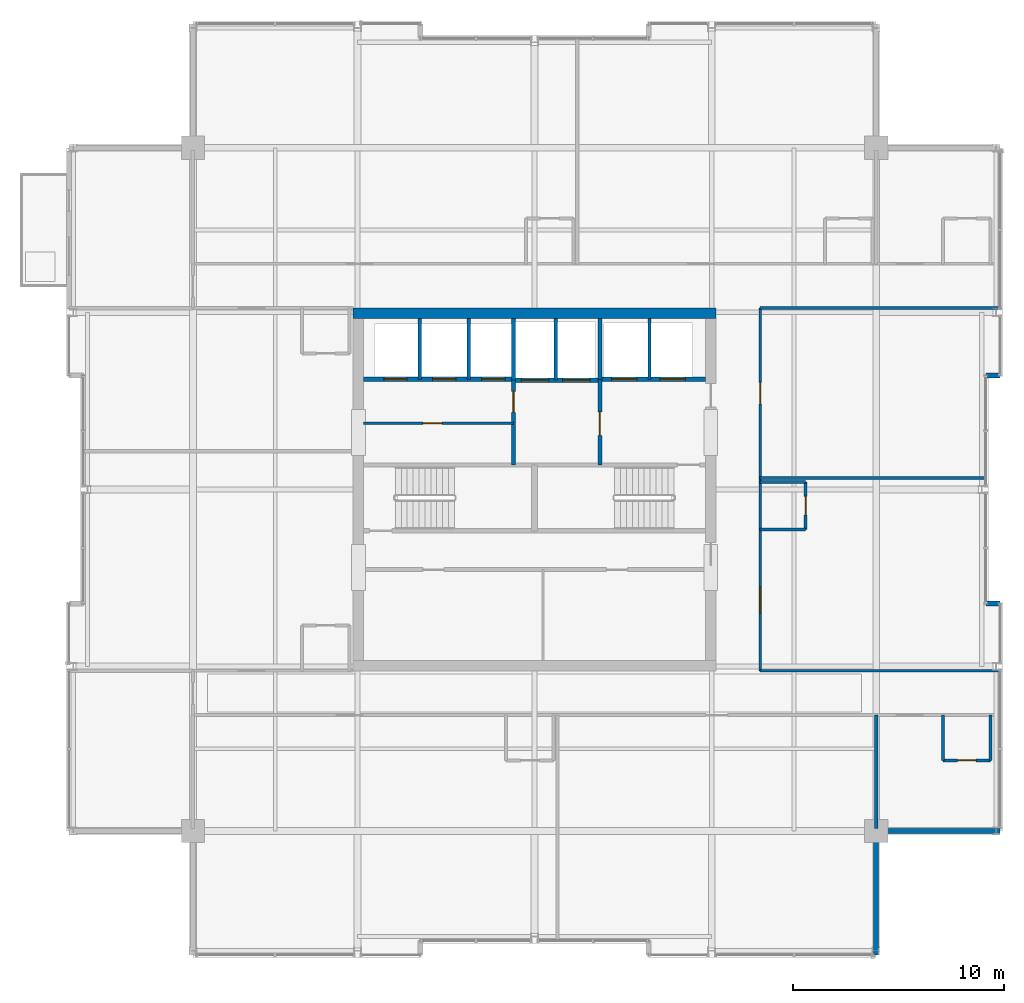
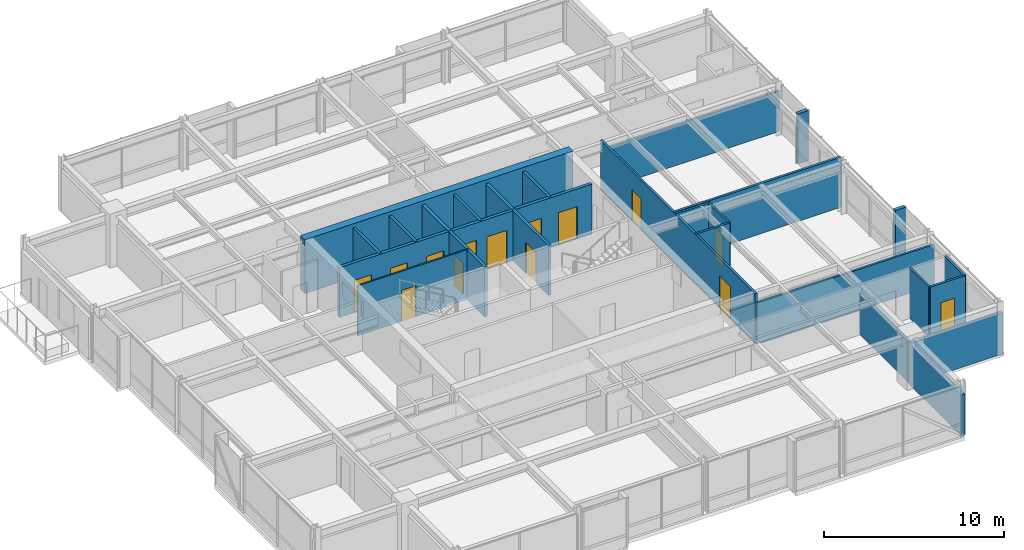
# One storey, part 29 of 33: 28 walls, 14 doors, 14 openings.
"""IFC4 building model written with IfcOpenShell, lengths in metres."""

from ifc_helpers import new_model, si_unit, direction, frame, frame_2d, origin, place, context, subcontext, project, spatial, rectangle, extrude, material, layer, layer_set, type_object, element, fill, save


model = new_model("IFC4")

# Units and contexts
model_context = context("Model", 3, precision=1e-05, world=origin(), true_north=direction((0.0, 1.0)))
body_context = subcontext(model_context, "Body", "Model", "MODEL_VIEW")
ifc_project = project(units=[si_unit("LENGTHUNIT", "METRE"), si_unit("AREAUNIT", "SQUARE_METRE"), si_unit("VOLUMEUNIT", "CUBIC_METRE"), si_unit("PLANEANGLEUNIT", "RADIAN"), si_unit("MASSUNIT", "GRAM", prefix="KILO")], contexts=[model_context])

# Site, building, storey
site_placement = place(None, origin())
site = spatial("IfcSite", under=ifc_project, at=site_placement, CompositionType="ELEMENT")
building_placement = place(site_placement, origin())
building = spatial("IfcBuilding", under=site, at=building_placement, Name="Drelvath Grand Hotel", CompositionType="ELEMENT")
storey_placement = place(building_placement, frame((0.0, 0.0, 275.949951171875)))
storey = spatial("IfcBuildingStorey", under=building, at=storey_placement, Name="L72", CompositionType="ELEMENT", Elevation=275.949951171875)

# Wall, opening, door
ifc_material_1 = material(Name="Gypsum Partition Board")
ifc_layer_1 = layer(ifc_material_1, 0.10009765625)
ifc_layer_set_1 = layer_set([ifc_layer_1], Name="Gypsum Partition Board")
wall_type_1 = type_object("IfcWallType", Name="Core Closet Partition 100", PredefinedType="PARTITIONING", material=ifc_layer_set_1)
wall_1_placement = place(storey_placement, frame((-8.10009765625, 30.139892578125, 0.0), z_axis=(0.0, 0.0, 1.0), x_axis=(1.0, 0.0, 0.0)))
wall_1 = element("IfcWall", 1, at=wall_1_placement, inside=storey, type_object=wall_type_1, Name="L72 High-Rise Lobby Closet Wall", PredefinedType="PARTITIONING", context=body_context, shape_type="SweptSolid", body=[
    extrude(rectangle(XDim=7.10009765625, YDim=0.10009765625, at=frame_2d((3.550048828125, 0.0))), origin(), (0.0, 0.0, 1.0), 3.39013671875),
])
opening_1_placement = place(wall_1_placement, frame((2.800048828125, 0.0, 0.0)))
opening_1 = element("IfcOpeningElement", 2, at=opening_1_placement, cuts=wall_1, Name="Opening D-T5G2-013", PredefinedType="OPENING", context=body_context, shape_type="SweptSolid", body=[
    extrude(rectangle(XDim=0.919921875, YDim=2.10009765625, at=frame_2d((0.4599609375, 1.050048828125))), frame((0.0, 0.06005859375, 0.0), z_axis=(0.0, -1.0, 0.0), x_axis=(1.0, 0.0, 0.0)), (0.0, 0.0, 1.0), 0.1201171875),
])
ifc_material_2 = material(Name="Painted Steel S275", Category="steel")
door_type_1 = type_object("IfcDoorType", Name="Staff Utility Door 920x2100", OperationType="NOTDEFINED", PredefinedType="DOOR", material=ifc_material_2)
door_1_placement = place(opening_1_placement, origin())
door_1 = element("IfcDoor", 3, at=door_1_placement, inside=storey, type_object=door_type_1, Name="L72 Core Telecom Door", OperationType="SINGLE_SWING_RIGHT", OverallHeight=2.10009765625, OverallWidth=0.919921875, PredefinedType="DOOR", context=body_context, shape_type="SweptSolid", body=[
    extrude(rectangle(XDim=0.919921875, YDim=2.10009765625, at=frame_2d((0.4599609375, 1.050048828125))), frame((0.0, 0.02490234375, 0.0), z_axis=(0.0, -1.0, 0.0), x_axis=(1.0, 0.0, 0.0)), (0.0, 0.0, 1.0), 0.050048828125),
])
fill(opening_1, door_1)

# Wall, openings, doors
ifc_material_3 = material(Name="Concrete C40/50", Category="concrete")
ifc_layer_2 = layer(ifc_material_3, 0.199951171875)
ifc_layer_set_2 = layer_set([ifc_layer_2], Name="Concrete C40/50")
wall_type_2 = type_object("IfcWallType", Name="Core Hoistway Fire Wall 200", PredefinedType="SOLIDWALL", material=ifc_layer_set_2)
wall_2_placement = place(storey_placement, frame((3.10009765625, 32.219970703125, 0.0), z_axis=(0.0, 0.0, 1.0), x_axis=(1.0, 0.0, 0.0)))
wall_2 = element("IfcWall", 4, at=wall_2_placement, inside=storey, type_object=wall_type_2, Name="L72 FSAE Hoistway Front Wall", PredefinedType="SOLIDWALL", context=body_context, shape_type="SweptSolid", body=[
    extrude(rectangle(XDim=5.0, YDim=0.199951171875, at=frame_2d((2.5, 0.0))), origin(), (0.0, 0.0, 1.0), 3.39013671875),
])
opening_2_placement = place(wall_2_placement, frame((0.550048828125, 0.0, 0.0)))
opening_2 = element("IfcOpeningElement", 5, at=opening_2_placement, cuts=wall_2, Name="Opening LD-FSAE-1", PredefinedType="OPENING", context=body_context, shape_type="SweptSolid", body=[
    extrude(rectangle(XDim=1.199951171875, YDim=2.199951171875, at=frame_2d((0.60009765625, 1.10009765625))), frame((0.0, 0.10986328125, 0.0), z_axis=(0.0, -1.0, 0.0), x_axis=(1.0, 0.0, 0.0)), (0.0, 0.0, 1.0), 0.219970703125),
])
opening_3_placement = place(wall_2_placement, frame((2.85009765625, 0.0, 0.0)))
opening_3 = element("IfcOpeningElement", 6, at=opening_3_placement, cuts=wall_2, Name="Opening LD-FSAE-2", PredefinedType="OPENING", context=body_context, shape_type="SweptSolid", body=[
    extrude(rectangle(XDim=1.199951171875, YDim=2.199951171875, at=frame_2d((0.60009765625, 1.10009765625))), frame((0.0, 0.10986328125, 0.0), z_axis=(0.0, -1.0, 0.0), x_axis=(1.0, 0.0, 0.0)), (0.0, 0.0, 1.0), 0.219970703125),
])
ifc_material_4 = material(Name="Stainless Steel S355", Category="steel")
door_type_2 = type_object("IfcDoorType", Name="FSAE Lift Sliding Landing Door 1200x2200", OperationType="NOTDEFINED", PredefinedType="DOOR", material=ifc_material_4)
door_2_placement = place(opening_2_placement, origin())
door_2 = element("IfcDoor", 7, at=door_2_placement, inside=storey, type_object=door_type_2, Name="L72 Lift FSAE-1 Landing Door", OperationType="SLIDING_TO_LEFT", OverallHeight=2.199951171875, OverallWidth=1.199951171875, PredefinedType="DOOR", context=body_context, shape_type="SweptSolid", body=[
    extrude(rectangle(XDim=1.199951171875, YDim=2.199951171875, at=frame_2d((0.60009765625, 1.10009765625))), frame((0.0, 0.02490234375, 0.0), z_axis=(0.0, -1.0, 0.0), x_axis=(1.0, 0.0, 0.0)), (0.0, 0.0, 1.0), 0.050048828125),
])
fill(opening_2, door_2)
door_3_placement = place(opening_3_placement, origin())
door_3 = element("IfcDoor", 8, at=door_3_placement, inside=storey, type_object=door_type_2, Name="L72 Lift FSAE-2 Landing Door", OperationType="SLIDING_TO_LEFT", OverallHeight=2.199951171875, OverallWidth=1.199951171875, PredefinedType="DOOR", context=body_context, shape_type="SweptSolid", body=[
    extrude(rectangle(XDim=1.199951171875, YDim=2.199951171875, at=frame_2d((0.60009765625, 1.10009765625))), frame((0.0, 0.02490234375, 0.0), z_axis=(0.0, -1.0, 0.0), x_axis=(1.0, 0.0, 0.0)), (0.0, 0.0, 1.0), 0.050048828125),
])
fill(opening_3, door_3)

# Wall
wall_3_placement = place(storey_placement, frame((3.10009765625, 32.219970703125, 0.0), z_axis=(0.0, 0.0, 1.0), x_axis=(0.0, 1.0, 0.0)))
element("IfcWall", 9, at=wall_3_placement, inside=storey, type_object=wall_type_2, Name="L72 FSAE Hoistway West Wall", PredefinedType="SOLIDWALL", context=body_context, shape_type="SweptSolid", body=[
    extrude(rectangle(XDim=2.880126953125, YDim=0.199951171875, at=frame_2d((1.43994140625, 0.0))), origin(), (0.0, 0.0, 1.0), 3.39013671875),
])

# Wall, openings, doors
wall_4_placement = place(storey_placement, frame((-1.0, 32.179931640625, 0.0), z_axis=(0.0, 0.0, 1.0), x_axis=(1.0, 0.0, 0.0)))
wall_4 = element("IfcWall", 10, at=wall_4_placement, inside=storey, type_object=wall_type_2, Name="L72 Service Lift Hoistway Wall", PredefinedType="SOLIDWALL", context=body_context, shape_type="SweptSolid", body=[
    extrude(rectangle(XDim=4.10009765625, YDim=0.199951171875, at=frame_2d((2.050048828125, 0.0))), origin(), (0.0, 0.0, 1.0), 3.39013671875),
])
opening_4_placement = place(wall_4_placement, frame((0.3701171875, 0.0, 0.0)))
opening_4 = element("IfcOpeningElement", 11, at=opening_4_placement, cuts=wall_4, Name="Opening LD-SV-2", PredefinedType="OPENING", context=body_context, shape_type="SweptSolid", body=[
    extrude(rectangle(XDim=1.300048828125, YDim=2.199951171875, at=frame_2d((0.64990234375, 1.10009765625))), frame((0.0, 0.10986328125, 0.0), z_axis=(0.0, -1.0, 0.0), x_axis=(1.0, 0.0, 0.0)), (0.0, 0.0, 1.0), 0.219970703125),
])
opening_5_placement = place(wall_4_placement, frame((2.330078125, 0.0, 0.0)))
opening_5 = element("IfcOpeningElement", 12, at=opening_5_placement, cuts=wall_4, Name="Opening LD-SV-1", PredefinedType="OPENING", context=body_context, shape_type="SweptSolid", body=[
    extrude(rectangle(XDim=1.300048828125, YDim=2.199951171875, at=frame_2d((0.64990234375, 1.10009765625))), frame((0.0, 0.10986328125, 0.0), z_axis=(0.0, -1.0, 0.0), x_axis=(1.0, 0.0, 0.0)), (0.0, 0.0, 1.0), 0.219970703125),
])
door_type_3 = type_object("IfcDoorType", Name="Service Lift Sliding Landing Door 1300x2200", OperationType="NOTDEFINED", PredefinedType="DOOR", material=ifc_material_4)
door_4_placement = place(opening_4_placement, origin())
door_4 = element("IfcDoor", 13, at=door_4_placement, inside=storey, type_object=door_type_3, Name="L72 Lift SV-2 Landing Door", OperationType="SLIDING_TO_LEFT", OverallHeight=2.199951171875, OverallWidth=1.300048828125, PredefinedType="DOOR", context=body_context, shape_type="SweptSolid", body=[
    extrude(rectangle(XDim=1.300048828125, YDim=2.199951171875, at=frame_2d((0.64990234375, 1.10009765625))), frame((0.0, 0.02490234375, 0.0), z_axis=(0.0, -1.0, 0.0), x_axis=(1.0, 0.0, 0.0)), (0.0, 0.0, 1.0), 0.050048828125),
])
fill(opening_4, door_4)
door_5_placement = place(opening_5_placement, origin())
door_5 = element("IfcDoor", 14, at=door_5_placement, inside=storey, type_object=door_type_3, Name="L72 Lift SV-1 Landing Door", OperationType="SLIDING_TO_LEFT", OverallHeight=2.199951171875, OverallWidth=1.300048828125, PredefinedType="DOOR", context=body_context, shape_type="SweptSolid", body=[
    extrude(rectangle(XDim=1.300048828125, YDim=2.199951171875, at=frame_2d((0.64990234375, 1.10009765625))), frame((0.0, 0.02490234375, 0.0), z_axis=(0.0, -1.0, 0.0), x_axis=(1.0, 0.0, 0.0)), (0.0, 0.0, 1.0), 0.050048828125),
])
fill(opening_5, door_5)

# Wall
wall_5_placement = place(storey_placement, frame((-1.0, 32.179931640625, 0.0), z_axis=(0.0, 0.0, 1.0), x_axis=(0.0, 1.0, 0.0)))
element("IfcWall", 15, at=wall_5_placement, inside=storey, type_object=wall_type_2, Name="L72 Service Lift West Wall", PredefinedType="SOLIDWALL", context=body_context, shape_type="SweptSolid", body=[
    extrude(rectangle(XDim=2.920166015625, YDim=0.199951171875, at=frame_2d((1.4599609375, 0.0))), origin(), (0.0, 0.0, 1.0), 3.39013671875),
])

# Wall, openings, doors
wall_6_placement = place(storey_placement, frame((-8.10009765625, 32.219970703125, 0.0), z_axis=(0.0, 0.0, 1.0), x_axis=(1.0, 0.0, 0.0)))
wall_6 = element("IfcWall", 16, at=wall_6_placement, inside=storey, type_object=wall_type_2, Name="L72 Bank 3 Hoistway Wall", PredefinedType="SOLIDWALL", context=body_context, shape_type="SweptSolid", body=[
    extrude(rectangle(XDim=7.10009765625, YDim=0.199951171875, at=frame_2d((3.550048828125, 0.0))), origin(), (0.0, 0.0, 1.0), 3.39013671875),
])
opening_6_placement = place(wall_6_placement, frame((0.949951171875, 0.0, 0.0)))
opening_6 = element("IfcOpeningElement", 17, at=opening_6_placement, cuts=wall_6, Name="Opening LD-PE-7", PredefinedType="OPENING", context=body_context, shape_type="SweptSolid", body=[
    extrude(rectangle(XDim=1.10009765625, YDim=2.199951171875, at=frame_2d((0.550048828125, 1.10009765625))), frame((0.0, 0.10986328125, 0.0), z_axis=(0.0, -1.0, 0.0), x_axis=(1.0, 0.0, 0.0)), (0.0, 0.0, 1.0), 0.219970703125),
])
opening_7_placement = place(wall_6_placement, frame((3.27001953125, 0.0, 0.0)))
opening_7 = element("IfcOpeningElement", 18, at=opening_7_placement, cuts=wall_6, Name="Opening LD-PE-8", PredefinedType="OPENING", context=body_context, shape_type="SweptSolid", body=[
    extrude(rectangle(XDim=1.10009765625, YDim=2.199951171875, at=frame_2d((0.550048828125, 1.10009765625))), frame((0.0, 0.10986328125, 0.0), z_axis=(0.0, -1.0, 0.0), x_axis=(1.0, 0.0, 0.0)), (0.0, 0.0, 1.0), 0.219970703125),
])
opening_8_placement = place(wall_6_placement, frame((5.590087890625, 0.0, 0.0)))
opening_8 = element("IfcOpeningElement", 19, at=opening_8_placement, cuts=wall_6, Name="Opening LD-PE-9", PredefinedType="OPENING", context=body_context, shape_type="SweptSolid", body=[
    extrude(rectangle(XDim=1.10009765625, YDim=2.199951171875, at=frame_2d((0.550048828125, 1.10009765625))), frame((0.0, 0.10986328125, 0.0), z_axis=(0.0, -1.0, 0.0), x_axis=(1.0, 0.0, 0.0)), (0.0, 0.0, 1.0), 0.219970703125),
])
door_type_4 = type_object("IfcDoorType", Name="Passenger Lift Sliding Landing Door 1100x2200", OperationType="NOTDEFINED", PredefinedType="DOOR", material=ifc_material_4)
door_6_placement = place(opening_6_placement, origin())
door_6 = element("IfcDoor", 20, at=door_6_placement, inside=storey, type_object=door_type_4, Name="L72 Lift PE-7 Landing Door", OperationType="SLIDING_TO_LEFT", OverallHeight=2.199951171875, OverallWidth=1.10009765625, PredefinedType="DOOR", context=body_context, shape_type="SweptSolid", body=[
    extrude(rectangle(XDim=1.10009765625, YDim=2.199951171875, at=frame_2d((0.550048828125, 1.10009765625))), frame((0.0, 0.02490234375, 0.0), z_axis=(0.0, -1.0, 0.0), x_axis=(1.0, 0.0, 0.0)), (0.0, 0.0, 1.0), 0.050048828125),
])
fill(opening_6, door_6)
door_7_placement = place(opening_7_placement, origin())
door_7 = element("IfcDoor", 21, at=door_7_placement, inside=storey, type_object=door_type_4, Name="L72 Lift PE-8 Landing Door", OperationType="SLIDING_TO_LEFT", OverallHeight=2.199951171875, OverallWidth=1.10009765625, PredefinedType="DOOR", context=body_context, shape_type="SweptSolid", body=[
    extrude(rectangle(XDim=1.10009765625, YDim=2.199951171875, at=frame_2d((0.550048828125, 1.10009765625))), frame((0.0, 0.02490234375, 0.0), z_axis=(0.0, -1.0, 0.0), x_axis=(1.0, 0.0, 0.0)), (0.0, 0.0, 1.0), 0.050048828125),
])
fill(opening_7, door_7)
door_8_placement = place(opening_8_placement, origin())
door_8 = element("IfcDoor", 22, at=door_8_placement, inside=storey, type_object=door_type_4, Name="L72 Lift PE-9 Landing Door", OperationType="SLIDING_TO_LEFT", OverallHeight=2.199951171875, OverallWidth=1.10009765625, PredefinedType="DOOR", context=body_context, shape_type="SweptSolid", body=[
    extrude(rectangle(XDim=1.10009765625, YDim=2.199951171875, at=frame_2d((0.550048828125, 1.10009765625))), frame((0.0, 0.02490234375, 0.0), z_axis=(0.0, -1.0, 0.0), x_axis=(1.0, 0.0, 0.0)), (0.0, 0.0, 1.0), 0.050048828125),
])
fill(opening_8, door_8)

# Walls
ifc_material_5 = material(Name="Gypsum Fireboard Partition")
ifc_layer_3 = layer(ifc_material_5, 0.1650390625)
ifc_layer_set_3 = layer_set([ifc_layer_3], Name="Gypsum Fireboard Partition")
wall_type_3 = type_object("IfcWallType", Name="Core Shaft Partition 165", PredefinedType="PARTITIONING", material=ifc_layer_set_3)
wall_7_placement = place(storey_placement, frame((5.449951171875, 32.219970703125, 0.0), z_axis=(0.0, 0.0, 1.0), x_axis=(0.0, 1.0, 0.0)))
element("IfcWall", 23, at=wall_7_placement, inside=storey, type_object=wall_type_3, Name="L72 FSAE Hoistway Divider", PredefinedType="PARTITIONING", context=body_context, shape_type="SweptSolid", body=[
    extrude(rectangle(XDim=2.880126953125, YDim=0.1650390625, at=frame_2d((1.43994140625, 0.0))), origin(), (0.0, 0.0, 1.0), 3.39013671875),
])
wall_8_placement = place(storey_placement, frame((1.0, 32.179931640625, 0.0), z_axis=(0.0, 0.0, 1.0), x_axis=(0.0, 1.0, 0.0)))
element("IfcWall", 24, at=wall_8_placement, inside=storey, type_object=wall_type_3, Name="L72 Service Lift Divider", PredefinedType="PARTITIONING", context=body_context, shape_type="SweptSolid", body=[
    extrude(rectangle(XDim=2.920166015625, YDim=0.1650390625, at=frame_2d((1.4599609375, 0.0))), origin(), (0.0, 0.0, 1.0), 3.39013671875),
])
for number, where, z_axis, x_axis, name in (
    (25, (-5.43994140625, 32.219970703125, 0.0), (0.0, 0.0, 1.0), (0.0, 1.0, 0.0), "L72 Lift PE-7/8 Divider"),
    (26, (-3.1201171875, 32.219970703125, 0.0), (0.0, 0.0, 1.0), (0.0, 1.0, 0.0), "L72 Lift PE-8/9 Divider"),
):
    element("IfcWall", number, at=place(storey_placement, frame(where, z_axis=z_axis, x_axis=x_axis)), inside=storey, type_object=wall_type_3, Name=name, PredefinedType="PARTITIONING", context=body_context, shape_type="SweptSolid", body=[
        extrude(rectangle(XDim=2.880126953125, YDim=0.1650390625, at=frame_2d((1.43994140625, 0.0))), origin(), (0.0, 0.0, 1.0), 3.39013671875),
    ])
ifc_layer_4 = layer(ifc_material_5, 0.135009765625)
ifc_layer_set_4 = layer_set([ifc_layer_4], Name="Gypsum Fireboard Partition")
wall_type_4 = type_object("IfcWallType", Name="Corridor Fire Barrier Wall 135", PredefinedType="PARTITIONING", material=ifc_layer_set_4)
for number, where, z_axis, x_axis, name in (
    (27, (10.699951171875, 18.39990234375, 0.0), (0.0, 0.0, 1.0), (1.0, 0.0, 0.0), "L72 South Gallery Inner East Wall"),
    (28, (10.699951171875, 35.60009765625, 0.0), (0.0, 0.0, 1.0), (1.0, 0.0, 0.0), "L72 North Gallery Inner East Wall"),
):
    element("IfcWall", number, at=place(storey_placement, frame(where, z_axis=z_axis, x_axis=x_axis)), inside=storey, type_object=wall_type_4, Name=name, PredefinedType="PARTITIONING", context=body_context, shape_type="SweptSolid", body=[
        extrude(rectangle(XDim=11.380126953125, YDim=0.135009765625, at=frame_2d((5.68994140625, 0.0))), origin(), (0.0, 0.0, 1.0), 2.767333984375),
    ])

# Wall, openings, doors
wall_9_placement = place(storey_placement, frame((10.699951171875, 18.39990234375, 0.0), z_axis=(0.0, 0.0, 1.0), x_axis=(0.0, 1.0, 0.0)))
wall_9 = element("IfcWall", 29, at=wall_9_placement, inside=storey, type_object=wall_type_4, Name="L72 East Gallery Link Wall", PredefinedType="PARTITIONING", context=body_context, shape_type="SweptSolid", body=[
    extrude(rectangle(XDim=17.2001953125, YDim=0.135009765625, at=frame_2d((8.60009765625, 0.0))), origin(), (0.0, 0.0, 1.0), 3.39013671875),
])
opening_9_placement = place(wall_9_placement, frame((2.723876953125, 0.0, 0.0)))
opening_9 = element("IfcOpeningElement", 30, at=opening_9_placement, cuts=wall_9, Name="Opening D-T5G2-031", PredefinedType="OPENING", context=body_context, shape_type="SweptSolid", body=[
    extrude(rectangle(XDim=1.260009765625, YDim=2.199951171875, at=frame_2d((0.6298828125, 1.10009765625))), frame((0.0, 0.077392578125, 0.0), z_axis=(0.0, -1.0, 0.0), x_axis=(1.0, 0.0, 0.0)), (0.0, 0.0, 1.0), 0.155029296875),
])
opening_10_placement = place(wall_9_placement, frame((12.65869140625, 0.0, 0.0)))
opening_10 = element("IfcOpeningElement", 31, at=opening_10_placement, cuts=wall_9, Name="Opening D-T5G2-032", PredefinedType="OPENING", context=body_context, shape_type="SweptSolid", body=[
    extrude(rectangle(XDim=1.02001953125, YDim=2.14990234375, at=frame_2d((0.510009765625, 1.074951171875))), frame((0.0, 0.077392578125, 0.0), z_axis=(0.0, -1.0, 0.0), x_axis=(1.0, 0.0, 0.0)), (0.0, 0.0, 1.0), 0.155029296875),
])
ifc_material_6 = material(Name="Hardwood Walnut Timber", Category="wood")
door_type_5 = type_object("IfcDoorType", Name="Amenity Meeting Fire Door 1020x2150", OperationType="NOTDEFINED", PredefinedType="DOOR", material=ifc_material_6)
door_9_placement = place(opening_10_placement, origin())
door_9 = element("IfcDoor", 32, at=door_9_placement, inside=storey, type_object=door_type_5, Name="L72 Curated Library Study Entry Door", OperationType="SINGLE_SWING_LEFT", OverallHeight=2.14990234375, OverallWidth=1.02001953125, PredefinedType="DOOR", context=body_context, shape_type="SweptSolid", body=[
    extrude(rectangle(XDim=1.02001953125, YDim=2.14990234375, at=frame_2d((0.510009765625, 1.074951171875))), frame((0.0, 0.02490234375, 0.0), z_axis=(0.0, -1.0, 0.0), x_axis=(1.0, 0.0, 0.0)), (0.0, 0.0, 1.0), 0.050048828125),
])
fill(opening_10, door_9)
door_type_6 = type_object("IfcDoorType", Name="Suite Entrance Fire Door 1260x2200", OperationType="NOTDEFINED", PredefinedType="DOOR", material=ifc_material_6)
door_10_placement = place(opening_9_placement, origin())
door_10 = element("IfcDoor", 33, at=door_10_placement, inside=storey, type_object=door_type_6, Name="L72 Royal Suite Entry Door", OperationType="SINGLE_SWING_RIGHT", OverallHeight=2.199951171875, OverallWidth=1.260009765625, PredefinedType="DOOR", context=body_context, shape_type="SweptSolid", body=[
    extrude(rectangle(XDim=1.260009765625, YDim=2.199951171875, at=frame_2d((0.6298828125, 1.10009765625))), frame((0.0, 0.02490234375, 0.0), z_axis=(0.0, -1.0, 0.0), x_axis=(1.0, 0.0, 0.0)), (0.0, 0.0, 1.0), 0.050048828125),
])
fill(opening_9, door_10)

# Walls
ifc_material_7 = material(Name="Moisture-Resistant Gypsum Board")
ifc_layer_5 = layer(ifc_material_7, 0.139892578125)
ifc_layer_set_5 = layer_set([ifc_layer_5], Name="Moisture-Resistant Gypsum Board")
wall_type_5 = type_object("IfcWallType", Name="En-Suite Plumbing Wall 140", PredefinedType="PLUMBINGWALL", material=ifc_layer_set_5)
for number, where, z_axis, x_axis, name in (
    (34, (19.3701171875, 16.300048828125, 0.0), (0.0, 0.0, 1.0), (0.0, -1.0, 0.0), "L72 En-Suite Left Wall"),
    (35, (21.6201171875, 16.300048828125, 0.0), (0.0, 0.0, 1.0), (0.0, -1.0, 0.0), "L72 En-Suite Right Wall"),
):
    element("IfcWall", number, at=place(storey_placement, frame(where, z_axis=z_axis, x_axis=x_axis)), inside=storey, type_object=wall_type_5, Name=name, PredefinedType="PLUMBINGWALL", context=body_context, shape_type="SweptSolid", body=[
        extrude(rectangle(XDim=2.150146484375, YDim=0.139892578125, at=frame_2d((1.0751953125, 0.0))), origin(), (0.0, 0.0, 1.0), 3.39013671875),
    ])

# Wall, opening, door
wall_10_placement = place(storey_placement, frame((19.3701171875, 14.14990234375, 0.0), z_axis=(0.0, 0.0, 1.0), x_axis=(1.0, 0.0, 0.0)))
wall_10 = element("IfcWall", 36, at=wall_10_placement, inside=storey, type_object=wall_type_5, Name="L72 En-Suite Front Wall", PredefinedType="PLUMBINGWALL", context=body_context, shape_type="SweptSolid", body=[
    extrude(rectangle(XDim=2.25, YDim=0.139892578125, at=frame_2d((1.125, 0.0))), origin(), (0.0, 0.0, 1.0), 3.39013671875),
])
opening_11_placement = place(wall_10_placement, frame((0.68505859375, 0.0, 0.0)))
opening_11 = element("IfcOpeningElement", 37, at=opening_11_placement, cuts=wall_10, Name="Opening D-T5G2-019", PredefinedType="OPENING", context=body_context, shape_type="SweptSolid", body=[
    extrude(rectangle(XDim=0.8798828125, YDim=2.10009765625, at=frame_2d((0.43994140625, 1.050048828125))), frame((0.0, 0.079833984375, 0.0), z_axis=(0.0, -1.0, 0.0), x_axis=(1.0, 0.0, 0.0)), (0.0, 0.0, 1.0), 0.159912109375),
])
door_type_7 = type_object("IfcDoorType", Name="En-Suite Bathroom Door 880x2100", OperationType="NOTDEFINED", PredefinedType="DOOR", material=ifc_material_6)
door_11_placement = place(opening_11_placement, origin())
door_11 = element("IfcDoor", 38, at=door_11_placement, inside=storey, type_object=door_type_7, Name="L72 En-Suite Bathroom Door", OperationType="SINGLE_SWING_RIGHT", OverallHeight=2.10009765625, OverallWidth=0.8798828125, PredefinedType="DOOR", context=body_context, shape_type="SweptSolid", body=[
    extrude(rectangle(XDim=0.8798828125, YDim=2.10009765625, at=frame_2d((0.43994140625, 1.050048828125))), frame((0.0, 0.02490234375, 0.0), z_axis=(0.0, -1.0, 0.0), x_axis=(1.0, 0.0, 0.0)), (0.0, 0.0, 1.0), 0.050048828125),
])
fill(opening_11, door_11)

# Walls
for number, where, z_axis, x_axis, name in (
    (39, (10.699951171875, 25.107421875, 0.0), (0.0, 0.0, 1.0), (1.0, 0.0, 0.0), "L72 En-Suite Left Wall"),
    (40, (10.699951171875, 27.357421875, 0.0), (0.0, 0.0, 1.0), (1.0, 0.0, 0.0), "L72 En-Suite Right Wall"),
):
    element("IfcWall", number, at=place(storey_placement, frame(where, z_axis=z_axis, x_axis=x_axis)), inside=storey, type_object=wall_type_5, Name=name, PredefinedType="PLUMBINGWALL", context=body_context, shape_type="SweptSolid", body=[
        extrude(rectangle(XDim=2.150146484375, YDim=0.139892578125, at=frame_2d((1.0751953125, 0.0))), origin(), (0.0, 0.0, 1.0), 3.39013671875),
    ])

# Wall, opening, door
wall_11_placement = place(storey_placement, frame((12.85009765625, 25.107421875, 0.0), z_axis=(0.0, 0.0, 1.0), x_axis=(0.0, 1.0, 0.0)))
wall_11 = element("IfcWall", 41, at=wall_11_placement, inside=storey, type_object=wall_type_5, Name="L72 En-Suite Front Wall", PredefinedType="PLUMBINGWALL", context=body_context, shape_type="SweptSolid", body=[
    extrude(rectangle(XDim=2.25, YDim=0.139892578125, at=frame_2d((1.125, 0.0))), origin(), (0.0, 0.0, 1.0), 3.39013671875),
])
opening_12_placement = place(wall_11_placement, frame((0.68505859375, 0.0, 0.0)))
opening_12 = element("IfcOpeningElement", 42, at=opening_12_placement, cuts=wall_11, Name="Opening D-T5G2-030", PredefinedType="OPENING", context=body_context, shape_type="SweptSolid", body=[
    extrude(rectangle(XDim=0.8798828125, YDim=2.10009765625, at=frame_2d((0.43994140625, 1.050048828125))), frame((0.0, 0.079833984375, 0.0), z_axis=(0.0, -1.0, 0.0), x_axis=(1.0, 0.0, 0.0)), (0.0, 0.0, 1.0), 0.159912109375),
])
door_12_placement = place(opening_12_placement, origin())
door_12 = element("IfcDoor", 43, at=door_12_placement, inside=storey, type_object=door_type_7, Name="L72 En-Suite Bathroom Door", OperationType="SINGLE_SWING_LEFT", OverallHeight=2.10009765625, OverallWidth=0.8798828125, PredefinedType="DOOR", context=body_context, shape_type="SweptSolid", body=[
    extrude(rectangle(XDim=0.8798828125, YDim=2.10009765625, at=frame_2d((0.43994140625, 1.050048828125))), frame((0.0, 0.02490234375, 0.0), z_axis=(0.0, -1.0, 0.0), x_axis=(1.0, 0.0, 0.0)), (0.0, 0.0, 1.0), 0.050048828125),
])
fill(opening_12, door_12)

ifc_layer_6 = layer(ifc_material_5, 0.179931640625)
ifc_layer_set_6 = layer_set([ifc_layer_6], Name="Gypsum Fireboard Partition")
wall_type_6 = type_object("IfcWallType", Name="FSAE Smoke Lobby Fire Wall 180", PredefinedType="SOLIDWALL", material=ifc_layer_set_6)
wall_12_placement = place(storey_placement, frame((3.10009765625, 28.159912109375, 0.0), z_axis=(0.0, 0.0, 1.0), x_axis=(0.0, 1.0, 0.0)))
wall_12 = element("IfcWall", 44, at=wall_12_placement, inside=storey, type_object=wall_type_6, Name="L72 FSAE Smoke Lobby West Wall", PredefinedType="SOLIDWALL", context=body_context, shape_type="SweptSolid", body=[
    extrude(rectangle(XDim=4.06005859375, YDim=0.179931640625, at=frame_2d((2.030029296875, 0.0))), origin(), (0.0, 0.0, 1.0), 3.39013671875),
])
opening_13_placement = place(wall_12_placement, frame((1.39990234375, 0.0, 0.0)))
opening_13 = element("IfcOpeningElement", 45, at=opening_13_placement, cuts=wall_12, Name="Opening D-T5G2-005", PredefinedType="OPENING", context=body_context, shape_type="SweptSolid", body=[
    extrude(rectangle(XDim=1.1201171875, YDim=2.10009765625, at=frame_2d((0.56005859375, 1.050048828125))), frame((0.0, 0.099853515625, 0.0), z_axis=(0.0, -1.0, 0.0), x_axis=(1.0, 0.0, 0.0)), (0.0, 0.0, 1.0), 0.199951171875),
])
door_type_8 = type_object("IfcDoorType", Name="FSAE Smoke Lobby Fire Door 1120x2100", OperationType="NOTDEFINED", PredefinedType="DOOR", material=ifc_material_2)
door_13_placement = place(opening_13_placement, origin())
door_13 = element("IfcDoor", 46, at=door_13_placement, inside=storey, type_object=door_type_8, Name="L72 FSAE Lobby Service Vestibule Door", OperationType="SINGLE_SWING_RIGHT", OverallHeight=2.10009765625, OverallWidth=1.1201171875, PredefinedType="DOOR", context=body_context, shape_type="SweptSolid", body=[
    extrude(rectangle(XDim=1.1201171875, YDim=2.10009765625, at=frame_2d((0.56005859375, 1.050048828125))), frame((0.0, 0.02490234375, 0.0), z_axis=(0.0, -1.0, 0.0), x_axis=(1.0, 0.0, 0.0)), (0.0, 0.0, 1.0), 0.050048828125),
])
fill(opening_13, door_13)

wall_13_placement = place(storey_placement, frame((-1.0, 28.159912109375, 0.0), z_axis=(0.0, 0.0, 1.0), x_axis=(0.0, 1.0, 0.0)))
wall_13 = element("IfcWall", 47, at=wall_13_placement, inside=storey, type_object=wall_type_6, Name="L72 Service Vestibule West Wall", PredefinedType="SOLIDWALL", context=body_context, shape_type="SweptSolid", body=[
    extrude(rectangle(XDim=4.02001953125, YDim=0.179931640625, at=frame_2d((2.010009765625, 0.0))), origin(), (0.0, 0.0, 1.0), 3.39013671875),
])
opening_14_placement = place(wall_13_placement, frame((2.489990234375, 0.0, 0.0)))
opening_14 = element("IfcOpeningElement", 48, at=opening_14_placement, cuts=wall_13, Name="Opening D-T5G2-009", PredefinedType="OPENING", context=body_context, shape_type="SweptSolid", body=[
    extrude(rectangle(XDim=1.0, YDim=2.10009765625, at=frame_2d((0.5, 1.050048828125))), frame((0.0, 0.099853515625, 0.0), z_axis=(0.0, -1.0, 0.0), x_axis=(1.0, 0.0, 0.0)), (0.0, 0.0, 1.0), 0.199951171875),
])
door_type_9 = type_object("IfcDoorType", Name="Core Service Fire Door 1000x2100", OperationType="NOTDEFINED", PredefinedType="DOOR", material=ifc_material_2)
door_14_placement = place(opening_14_placement, origin())
door_14 = element("IfcDoor", 49, at=door_14_placement, inside=storey, type_object=door_type_9, Name="L72 Service Vestibule West Door", OperationType="SINGLE_SWING_LEFT", OverallHeight=2.10009765625, OverallWidth=1.0, PredefinedType="DOOR", context=body_context, shape_type="SweptSolid", body=[
    extrude(rectangle(XDim=1.0, YDim=2.10009765625, at=frame_2d((0.5, 1.050048828125))), frame((0.0, 0.02490234375, 0.0), z_axis=(0.0, -1.0, 0.0), x_axis=(1.0, 0.0, 0.0)), (0.0, 0.0, 1.0), 0.050048828125),
])
fill(opening_14, door_14)

# Walls
ifc_material_8 = material(Name="Gypsum Acoustic Partition")
ifc_layer_7 = layer(ifc_material_8, 0.14990234375)
ifc_layer_set_7 = layer_set([ifc_layer_7], Name="Gypsum Acoustic Partition")
wall_type_7 = type_object("IfcWallType", Name="Guestroom Demising Wall 150", PredefinedType="PARTITIONING", material=ifc_layer_set_7)
wall_14_placement = place(storey_placement, frame((10.699951171875, 27.53759765625, 0.0), z_axis=(0.0, 0.0, 1.0), x_axis=(1.0, 0.0, 0.0)))
element("IfcWall", 50, at=wall_14_placement, inside=storey, type_object=wall_type_7, Name="L72 East Demising 1", PredefinedType="PARTITIONING", context=body_context, shape_type="SweptSolid", body=[
    extrude(rectangle(XDim=10.699951171875, YDim=0.14990234375, at=frame_2d((5.35009765625, 0.0))), origin(), (0.0, 0.0, 1.0), 3.39013671875),
])
ifc_layer_8 = layer(ifc_material_8, 0.1650390625)
ifc_layer_set_8 = layer_set([ifc_layer_8], Name="Gypsum Acoustic Partition")
wall_type_8 = type_object("IfcWallType", Name="Suite Demising Wall 165", PredefinedType="PARTITIONING", material=ifc_layer_set_8)
wall_15_placement = place(storey_placement, frame((16.199951171875, 10.919921875, 0.0), z_axis=(0.0, 0.0, 1.0), x_axis=(0.0, 1.0, 0.0)))
element("IfcWall", 51, at=wall_15_placement, inside=storey, type_object=wall_type_8, Name="L72 SE Suite Wall", PredefinedType="PARTITIONING", context=body_context, shape_type="SweptSolid", body=[
    extrude(rectangle(XDim=5.380126953125, YDim=0.1650390625, at=frame_2d((2.68994140625, 0.0))), origin(), (0.0, 0.0, 1.0), 2.763916015625),
])
ifc_material_9 = material(Name="Pale-Metal Insulated Aluminium Spandrel Assembly", Category="aluminium")
ifc_layer_9 = layer(ifc_material_9, 0.239990234375)
ifc_layer_set_9 = layer_set([ifc_layer_9], Name="Pale-Metal Insulated Aluminium Spandrel Assembly")
wall_type_9 = type_object("IfcWallType", Name="Tower Insulated Metal Spandrel Closure Wall 240", PredefinedType="STANDARD", material=ifc_layer_set_9)
for number, where, z_axis, x_axis, name in (
    (52, (22.080078125, 10.800048828125, 0.0), (0.0, 0.0, 1.0), (-1.0, 0.0, 0.0), "L72 Notched Corner Return Spandrel Wall CSE1"),
    (53, (16.199951171875, 10.800048828125, 0.0), (0.0, 0.0, 1.0), (0.0, -1.0, 0.0), "L72 Notched Corner Return Spandrel Wall CSE2"),
):
    element("IfcWall", number, at=place(storey_placement, frame(where, z_axis=z_axis, x_axis=x_axis)), inside=storey, type_object=wall_type_9, Name=name, PredefinedType="STANDARD", context=body_context, shape_type="SweptSolid", body=[
        extrude(rectangle(XDim=5.880126953125, YDim=0.239990234375, at=frame_2d((2.93994140625, 0.0))), origin(), (0.0, 0.0, 1.0), 2.779052734375),
    ])
for number, where, z_axis, x_axis, name in (
    (54, (22.080078125, 32.39990234375, 0.0), (0.0, 0.0, 1.0), (-1.0, 0.0, 0.0), "L72 Notched Corner Return Spandrel Wall RE1"),
    (55, (21.39990234375, 21.60009765625, 0.0), (0.0, 0.0, 1.0), (1.0, 0.0, 0.0), "L72 Notched Corner Return Spandrel Wall RE2"),
):
    element("IfcWall", number, at=place(storey_placement, frame(where, z_axis=z_axis, x_axis=x_axis)), inside=storey, type_object=wall_type_9, Name=name, PredefinedType="STANDARD", context=body_context, shape_type="SweptSolid", body=[
        extrude(rectangle(XDim=0.68017578125, YDim=0.239990234375, at=frame_2d((0.340087890625, 0.0))), origin(), (0.0, 0.0, 1.0), 3.39013671875),
    ])
ifc_material_10 = material(Name="Concrete f'c 55 MPa", Category="concrete")
ifc_layer_10 = layer(ifc_material_10, 0.5)
ifc_layer_set_10 = layer_set([ifc_layer_10], Name="Concrete f'c 55 MPa")
wall_type_10 = type_object("IfcWallType", Name="Upper Core RC Shear Wall 500", PredefinedType="SHEAR", material=ifc_layer_set_10)
wall_16_placement = place(storey_placement, frame((-8.60009765625, 35.35009765625, 0.0), z_axis=(0.0, 0.0, 1.0), x_axis=(1.0, 0.0, 0.0)))
element("IfcWall", 56, at=wall_16_placement, inside=storey, type_object=wall_type_10, Name="L72 Central Core Shear Wall N", PredefinedType="SHEAR", context=body_context, shape_type="SweptSolid", body=[
    extrude(rectangle(XDim=17.2001953125, YDim=0.5, at=frame_2d((8.60009765625, 0.0))), origin(), (0.0, 0.0, 1.0), 3.650146484375),
])

save(model, "model.ifc")
